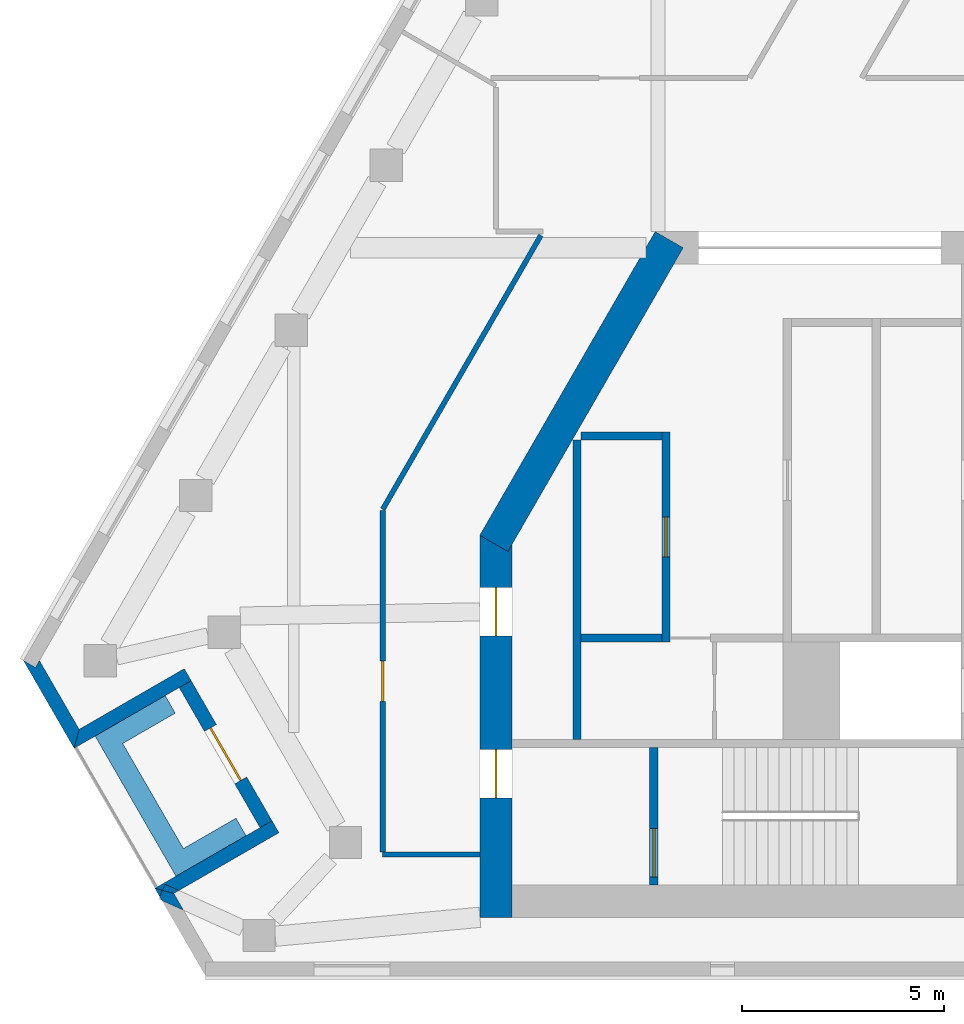
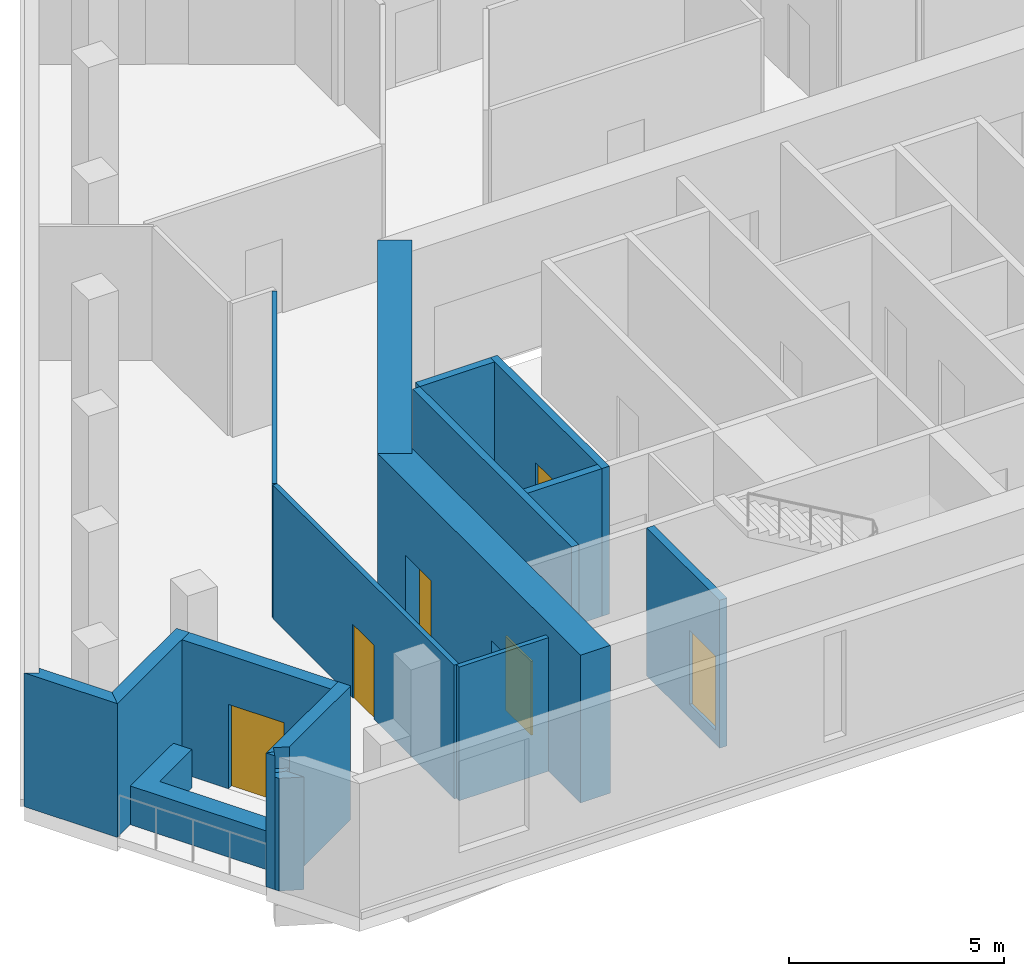
# One storey, part 2 of 8: 18 walls, 6 doors, 6 openings.
"""IFC4 building model written with IfcOpenShell, lengths in metres."""

from ifc_helpers import new_model, si_unit, direction, frame, frame_2d, origin, place, context, subcontext, project, spatial, polyline, rectangle, outline, extrude, material, layer, layer_set, type_object, element, fill, save


model = new_model("IFC4")

# Units and contexts
model_context = context("Model", 3, precision=1e-05, world=origin(), true_north=direction((0.0, 1.0)))
body_context = subcontext(model_context, "Body", "Model", "MODEL_VIEW")
ifc_project = project(units=[si_unit("LENGTHUNIT", "METRE"), si_unit("AREAUNIT", "SQUARE_METRE"), si_unit("VOLUMEUNIT", "CUBIC_METRE"), si_unit("PLANEANGLEUNIT", "RADIAN"), si_unit("MASSUNIT", "GRAM", prefix="KILO")], contexts=[model_context])

# Site, building, storey
site_placement = place(None, origin())
site = spatial("IfcSite", under=ifc_project, at=site_placement, CompositionType="ELEMENT")
building_placement = place(site_placement, origin())
building = spatial("IfcBuilding", under=site, at=building_placement, Name="Fogline Exchange Tower", CompositionType="ELEMENT")
storey_placement = place(building_placement, frame((0.0, 0.0, 314.10009765625)))
storey = spatial("IfcBuildingStorey", under=building, at=storey_placement, Name="L71", CompositionType="ELEMENT", Elevation=314.10009765625)

# Wall
ifc_material_1 = material(Name="Concrete C40", Category="concrete")
ifc_layer_1 = layer(ifc_material_1, 0.199951171875)
ifc_layer_set_1 = layer_set([ifc_layer_1], Name="CW20")
wall_type_1 = type_object("IfcWallType", Name="CW20", PredefinedType="SOLIDWALL", material=ifc_layer_set_1)
wall_1_placement = place(storey_placement, frame((-11.0, 5.85009765625, 0.0), z_axis=(0.0, 0.0, 1.0), x_axis=(0.0, 1.0, 0.0)))
element("IfcWall", 1, at=wall_1_placement, inside=storey, type_object=wall_type_1, Name="Service room wall", PredefinedType="SOLIDWALL", context=body_context, shape_type="SweptSolid", body=[
    extrude(rectangle(XDim=7.39990234375, YDim=0.199951171875, at=frame_2d((3.699951171875, 0.0))), origin(), (0.0, 0.0, 1.0), 3.7998046875),
])

# Wall, opening, door
ifc_layer_2 = layer(ifc_material_1, 0.199951171875)
ifc_layer_set_2 = layer_set([ifc_layer_2], Name="CW20R")
wall_type_2 = type_object("IfcWallType", Name="CW20R", PredefinedType="SOLIDWALL", material=ifc_layer_set_2)
wall_2_placement = place(storey_placement, frame((-9.10009765625, 2.25, -0.400146484375), z_axis=(0.0, 0.0, 1.0), x_axis=(0.0, 1.0, 0.0)))
wall_2 = element("IfcWall", 2, at=wall_2_placement, inside=storey, type_object=wall_type_2, Name="Stair enclosure wall", PredefinedType="SOLIDWALL", context=body_context, shape_type="SweptSolid", body=[
    extrude(rectangle(XDim=3.39990234375, YDim=0.199951171875, at=frame_2d((1.699951171875, 0.0))), origin(), (0.0, 0.0, 1.0), 4.199951171875),
])
opening_1_placement = place(wall_2_placement, frame((0.199951171875, 0.0, 0.39990234375)))
opening_1 = element("IfcOpeningElement", 3, at=opening_1_placement, cuts=wall_2, Name="Opening T22-C010", PredefinedType="OPENING", context=body_context, shape_type="SweptSolid", body=[
    extrude(rectangle(XDim=1.199951171875, YDim=2.10009765625, at=frame_2d((0.60009765625, 1.050048828125))), frame((0.0, 0.10986328125, 0.0), z_axis=(0.0, -1.0, 0.0), x_axis=(1.0, 0.0, 0.0)), (0.0, 0.0, 1.0), 0.219970703125),
])
ifc_material_2 = material(Name="Steel and timber fire door", Category="steel")
door_type_1 = type_object("IfcDoorType", Name="D-ST1", OperationType="SINGLE_SWING_LEFT", PredefinedType="DOOR", material=ifc_material_2)
door_1_placement = place(opening_1_placement, frame((1.199951171875, 0.0, 0.0), z_axis=(0.0, 0.0, 1.0), x_axis=(-1.0, 0.0, 0.0)))
door_1 = element("IfcDoor", 4, at=door_1_placement, inside=storey, type_object=door_type_1, Name="Stair door ST1", OperationType="SINGLE_SWING_RIGHT", OverallHeight=2.10009765625, OverallWidth=1.199951171875, PredefinedType="DOOR", context=body_context, shape_type="SweptSolid", body=[
    extrude(rectangle(XDim=1.199951171875, YDim=2.10009765625, at=frame_2d((0.60009765625, 1.050048828125))), frame((0.0, 0.02490234375, 0.0), z_axis=(0.0, -1.0, 0.0), x_axis=(1.0, 0.0, 0.0)), (0.0, 0.0, 1.0), 0.050048828125),
])
fill(opening_1, door_1)

ifc_layer_3 = layer(ifc_material_1, 0.199951171875)
ifc_layer_set_3 = layer_set([ifc_layer_3], Name="CW20S")
wall_type_3 = type_object("IfcWallType", Name="CW20S", PredefinedType="SOLIDWALL", material=ifc_layer_set_3)
wall_3_placement = place(storey_placement, frame((-8.800048828125, 8.25, -0.400146484375), z_axis=(0.0, 0.0, 1.0), x_axis=(0.0, 1.0, 0.0)))
wall_3 = element("IfcWall", 5, at=wall_3_placement, inside=storey, type_object=wall_type_3, Name="Lift shaft wall", PredefinedType="SOLIDWALL", context=body_context, shape_type="SweptSolid", body=[
    extrude(rectangle(XDim=5.199951171875, YDim=0.199951171875, at=frame_2d((2.60009765625, 0.0))), origin(), (0.0, 0.0, 1.0), 4.199951171875),
])
opening_2_placement = place(wall_3_placement, frame((2.10009765625, 0.0, 0.39990234375)))
opening_2 = element("IfcOpeningElement", 6, at=opening_2_placement, cuts=wall_3, Name="Opening T22-C001", PredefinedType="OPENING", context=body_context, shape_type="SweptSolid", body=[
    extrude(rectangle(XDim=1.0, YDim=2.10009765625, at=frame_2d((0.5, 1.050048828125))), frame((0.0, 0.10986328125, 0.0), z_axis=(0.0, -1.0, 0.0), x_axis=(1.0, 0.0, 0.0)), (0.0, 0.0, 1.0), 0.219970703125),
])
door_type_2 = type_object("IfcDoorType", Name="D-RM1", OperationType="SINGLE_SWING_LEFT", PredefinedType="DOOR", material=ifc_material_2)
door_2_placement = place(opening_2_placement, origin())
door_2 = element("IfcDoor", 7, at=door_2_placement, inside=storey, type_object=door_type_2, Name="Door to Records Room", OperationType="SINGLE_SWING_RIGHT", OverallHeight=2.10009765625, OverallWidth=1.0, PredefinedType="DOOR", context=body_context, shape_type="SweptSolid", body=[
    extrude(rectangle(XDim=1.0, YDim=2.10009765625, at=frame_2d((0.5, 1.050048828125))), frame((0.0, 0.02490234375, 0.0), z_axis=(0.0, -1.0, 0.0), x_axis=(1.0, 0.0, 0.0)), (0.0, 0.0, 1.0), 0.050048828125),
])
fill(opening_2, door_2)

# Walls
for number, where, z_axis, x_axis, name in (
    (8, (-10.89990234375, 8.35009765625, -0.400146484375), (0.0, 0.0, 1.0), (1.0, 0.0, 0.0), "Lift shaft wall"),
    (9, (-10.89990234375, 13.35009765625, -0.400146484375), (0.0, 0.0, 1.0), (1.0, 0.0, 0.0), "Lift shaft wall"),
):
    element("IfcWall", number, at=place(storey_placement, frame(where, z_axis=z_axis, x_axis=x_axis)), inside=storey, type_object=wall_type_3, Name=name, PredefinedType="SOLIDWALL", context=body_context, shape_type="SweptSolid", body=[
        extrude(rectangle(XDim=2.0, YDim=0.199951171875, at=frame_2d((1.0, 0.0))), origin(), (0.0, 0.0, 1.0), 4.199951171875),
    ])
ifc_material_3 = material(Name="Brick masonry", Category="masonry")
ifc_layer_4 = layer(ifc_material_3, 0.340087890625)
ifc_layer_set_4 = layer_set([ifc_layer_4], Name="FW1")
wall_type_4 = type_object("IfcWallType", Name="FW1", PredefinedType="SOLIDWALL", material=ifc_layer_set_4)
wall_4_placement = place(storey_placement, origin())
element("IfcWall", 10, at=wall_4_placement, inside=storey, type_object=wall_type_4, Name="Brick wall L71 SW-c1", PredefinedType="SOLIDWALL", context=body_context, shape_type="SweptSolid", body=[
    extrude(outline(polyline([(-23.4296875, 5.6279296875), (-24.680908203125, 7.794921875), (-24.680419921875, 7.79541015625), (-24.385498046875, 7.625), (-24.287109375, 7.79541015625), (-23.3046875, 6.09375), (-23.429443359375, 5.6279296875), (-23.4296875, 5.6279296875)])), origin(), (0.0, 0.0, 1.0), 3.7998046875),
])
wall_5_placement = place(storey_placement, origin())
element("IfcWall", 11, at=wall_5_placement, inside=storey, type_object=wall_type_4, Name="Brick wall L71 SW-s1", PredefinedType="SOLIDWALL", context=body_context, shape_type="SweptSolid", body=[
    extrude(outline(polyline([(-20.70703125, 7.594482421875), (-20.536376953125, 7.298828125), (-20.831298828125, 7.128662109375), (-23.430419921875, 5.628173828125), (-23.4306640625, 5.62841796875), (-23.305908203125, 6.093994140625), (-20.70703125, 7.594482421875)])), origin(), (0.0, 0.0, 1.0), 3.7998046875),
])

# Wall, opening, door
wall_6_placement = place(storey_placement, frame((-20.6845703125, 7.214111328125, 0.0), z_axis=(0.0, 0.0, 1.0), x_axis=(0.49999894854, -0.866026010844, 0.0)))
wall_6 = element("IfcWall", 12, at=wall_6_placement, inside=storey, type_object=wall_type_4, Name="Brick wall L71 SW-bk", PredefinedType="SOLIDWALL", context=body_context, shape_type="SweptSolid", body=[
    extrude(rectangle(XDim=4.0, YDim=0.340087890625, at=frame_2d((2.0, 0.0))), origin(), (0.0, 0.0, 1.0), 3.7998046875),
])
opening_3_placement = place(wall_6_placement, frame((1.25, 0.0, 0.0)))
opening_3 = element("IfcOpeningElement", 13, at=opening_3_placement, cuts=wall_6, Name="Opening T22-E021", PredefinedType="OPENING", context=body_context, shape_type="SweptSolid", body=[
    extrude(rectangle(XDim=1.5, YDim=2.39990234375, at=frame_2d((0.75, 1.199951171875))), frame((0.0, 0.18017578125, 0.0), z_axis=(0.0, -1.0, 0.0), x_axis=(1.0, 0.0, 0.0)), (0.0, 0.0, 1.0), 0.360107421875),
])
ifc_material_4 = material(Name="Aluminium and glass", Category="aluminium")
door_type_3 = type_object("IfcDoorType", Name="ED4", OperationType="SINGLE_SWING_LEFT", PredefinedType="DOOR", material=ifc_material_4)
door_3_placement = place(opening_3_placement, frame((1.5, 0.0, 0.0), z_axis=(0.0, 0.0, 1.0), x_axis=(-1.0, 0.0, 0.0)))
door_3 = element("IfcDoor", 14, at=door_3_placement, inside=storey, type_object=door_type_3, Name="Balcony door L71 SW", OperationType="DOUBLE_DOOR_SINGLE_SWING", OverallHeight=2.39990234375, OverallWidth=1.5, PredefinedType="DOOR", context=body_context, shape_type="SweptSolid", body=[
    extrude(rectangle(XDim=1.5, YDim=2.39990234375, at=frame_2d((0.75, 1.199951171875))), frame((0.0, 0.02490234375, 0.0), z_axis=(0.0, -1.0, 0.0), x_axis=(1.0, 0.0, 0.0)), (0.0, 0.0, 1.0), 0.050048828125),
])
fill(opening_3, door_3)

# Walls
wall_7_placement = place(storey_placement, origin())
element("IfcWall", 15, at=wall_7_placement, inside=storey, type_object=wall_type_4, Name="Brick wall L71 SW-s2", PredefinedType="SOLIDWALL", context=body_context, shape_type="SweptSolid", body=[
    extrude(outline(polyline([(-20.96533203125, 2.0400390625), (-21.2470703125, 2.115478515625), (-21.1787109375, 2.267333984375), (-20.837890625, 2.113525390625), (-20.96533203125, 2.0400390625)])), origin(), (0.0, 0.0, 1.0), 3.199951171875),
])
wall_8_placement = place(storey_placement, origin())
element("IfcWall", 16, at=wall_8_placement, inside=storey, type_object=wall_type_4, Name="Brick wall L71 SW-s2", PredefinedType="SOLIDWALL", context=body_context, shape_type="SweptSolid", body=[
    extrude(outline(polyline([(-18.83203125, 3.66552734375), (-18.537109375, 3.8359375), (-18.366455078125, 3.540283203125), (-20.837890625, 2.113525390625), (-21.1787109375, 2.267333984375), (-21.2470703125, 2.115478515625), (-21.430908203125, 2.164794921875), (-21.430908203125, 2.1650390625), (-18.83203125, 3.66552734375)])), origin(), (0.0, 0.0, 1.0), 3.7998046875),
])
wall_9_placement = place(storey_placement, origin())
element("IfcWall", 17, at=wall_9_placement, inside=storey, type_object=wall_type_4, Name="Brick wall L71 SW-c2", PredefinedType="SOLIDWALL", context=body_context, shape_type="SweptSolid", body=[
    extrude(outline(polyline([(-21.31494140625, 1.965087890625), (-21.24658203125, 2.11669921875), (-20.96484375, 2.041015625), (-20.723388671875, 1.623046875), (-21.25634765625, 1.863525390625), (-21.31494140625, 1.965087890625)])), origin(), (0.0, 0.0, 1.0), 3.199951171875),
])
wall_10_placement = place(storey_placement, origin())
element("IfcWall", 18, at=wall_10_placement, inside=storey, type_object=wall_type_4, Name="Brick wall L71 SW-c2", PredefinedType="SOLIDWALL", context=body_context, shape_type="SweptSolid", body=[
    extrude(outline(polyline([(-21.430908203125, 2.165771484375), (-21.4306640625, 2.166015625), (-21.24658203125, 2.11669921875), (-21.31494140625, 1.965087890625), (-21.430908203125, 2.165771484375)])), origin(), (0.0, 0.0, 1.0), 3.7998046875),
])
ifc_material_5 = material(Name="Concrete C30", Category="concrete")
ifc_layer_5 = layer(ifc_material_5, 0.199951171875)
ifc_layer_set_5 = layer_set([ifc_layer_5], Name="PL1")
wall_type_5 = type_object("IfcWallType", Name="PL1", PredefinedType="USERDEFINED", material=ifc_layer_set_5)
wall_11_placement = place(storey_placement, origin())
element("IfcWall", 19, at=wall_11_placement, inside=storey, type_object=wall_type_5, Name="PLANTER balcony L71 SW", ObjectType="PLANTER", PredefinedType="USERDEFINED", context=body_context, shape_type="SweptSolid", body=[
    extrude(outline(polyline([(-19.427978515625, 3.898193359375), (-20.727294921875, 3.148193359375), (-22.227294921875, 5.74609375), (-20.927978515625, 6.49609375), (-21.177978515625, 6.92919921875), (-22.91015625, 5.92919921875), (-22.66015625, 5.49609375), (-20.91015625, 2.465087890625), (-20.477294921875, 2.715087890625), (-20.477294921875, 2.715087890625), (-19.177978515625, 3.465087890625), (-19.427978515625, 3.898193359375)])), origin(), (0.0, 0.0, 1.0), 1.099853515625),
])
ifc_material_6 = material(Name="Plasterboard corridor partition with mineral wool, 2 layers each side")
ifc_layer_6 = layer(ifc_material_6, 0.125)
ifc_layer_set_6 = layer_set([ifc_layer_6], Name="PW2")
wall_type_6 = type_object("IfcWallType", Name="PW2", PredefinedType="PARTITIONING", material=ifc_layer_set_6)
wall_12_placement = place(storey_placement, frame((-13.39990234375, 3.0, 0.0), z_axis=(0.0, 0.0, 1.0), x_axis=(-1.0, 0.0, 0.0)))
element("IfcWall", 20, at=wall_12_placement, inside=storey, type_object=wall_type_6, Name="wall-L71-W015", PredefinedType="PARTITIONING", context=body_context, shape_type="SweptSolid", body=[
    extrude(rectangle(XDim=2.400146484375, YDim=0.125, at=frame_2d((1.2001953125, 0.0))), origin(), (0.0, 0.0, 1.0), 3.7998046875),
])

# Wall, opening, door
wall_13_placement = place(storey_placement, frame((-15.800048828125, 3.0625, 0.0), z_axis=(0.0, 0.0, 1.0), x_axis=(0.0, 1.0, 0.0)))
wall_13 = element("IfcWall", 21, at=wall_13_placement, inside=storey, type_object=wall_type_6, Name="wall-L71-W016", PredefinedType="PARTITIONING", context=body_context, shape_type="SweptSolid", body=[
    extrude(rectangle(XDim=8.44140625, YDim=0.125, at=frame_2d((4.220703125, 0.0))), origin(), (0.0, 0.0, 1.0), 3.7998046875),
])
opening_4_placement = place(wall_13_placement, frame((3.720703125, 0.0, 0.0)))
opening_4 = element("IfcOpeningElement", 22, at=opening_4_placement, cuts=wall_13, Name="Opening T22-D006", PredefinedType="OPENING", context=body_context, shape_type="SweptSolid", body=[
    extrude(rectangle(XDim=1.0, YDim=2.10009765625, at=frame_2d((0.5, 1.050048828125))), frame((0.0, 0.072509765625, 0.0), z_axis=(0.0, -1.0, 0.0), x_axis=(1.0, 0.0, 0.0)), (0.0, 0.0, 1.0), 0.14501953125),
])
ifc_material_7 = material(Name="Fire-rated timber door leaf with steel frame", Category="steel")
door_type_4 = type_object("IfcDoorType", Name="D3", OperationType="SINGLE_SWING_LEFT", PredefinedType="DOOR", material=ifc_material_7)
door_4_placement = place(opening_4_placement, origin())
door_4 = element("IfcDoor", 23, at=door_4_placement, inside=storey, type_object=door_type_4, Name="door-L71-D006", OperationType="SINGLE_SWING_LEFT", OverallHeight=2.10009765625, OverallWidth=1.0, PredefinedType="DOOR", context=body_context, shape_type="SweptSolid", body=[
    extrude(rectangle(XDim=1.0, YDim=2.10009765625, at=frame_2d((0.5, 1.050048828125))), frame((0.0, 0.02490234375, 0.0), z_axis=(0.0, -1.0, 0.0), x_axis=(1.0, 0.0, 0.0)), (0.0, 0.0, 1.0), 0.050048828125),
])
fill(opening_4, door_4)

# Walls
wall_14_placement = place(storey_placement, frame((-15.800048828125, 11.534912109375, 0.0), z_axis=(0.0, 0.0, 1.0), x_axis=(0.49999455806, 0.866028545667, 0.0)))
element("IfcWall", 24, at=wall_14_placement, inside=storey, type_object=wall_type_6, Name="wall-L71-W017", PredefinedType="PARTITIONING", context=body_context, shape_type="SweptSolid", body=[
    extrude(rectangle(XDim=7.818359375, YDim=0.125, at=frame_2d((3.9091796875, 0.0))), origin(), (0.0, 0.0, 1.0), 3.7998046875),
])
ifc_material_8 = material(Name="Concrete C50", Category="concrete")
ifc_layer_7 = layer(ifc_material_8, 0.800048828125)
ifc_layer_set_7 = layer_set([ifc_layer_7], Name="SW04")
wall_type_7 = type_object("IfcWallType", Name="SW04", PredefinedType="SHEAR", material=ifc_layer_set_7)
wall_15_placement = place(storey_placement, frame((-8.71875, 18.199951171875, 0.0), z_axis=(0.0, 0.0, 1.0), x_axis=(-0.500015780397, -0.866016292776, 0.0)))
element("IfcWall", 25, at=wall_15_placement, inside=storey, type_object=wall_type_7, Name="L71-W905", PredefinedType="SHEAR", context=body_context, shape_type="SweptSolid", body=[
    extrude(rectangle(XDim=8.669677734375, YDim=0.800048828125, at=frame_2d((4.3349609375, 0.0))), origin(), (0.0, 0.0, 1.0), 4.199951171875),
])

# Wall, openings, doors
wall_16_placement = place(storey_placement, frame((-13.0, 10.891845703125, 0.0), z_axis=(0.0, 0.0, 1.0), x_axis=(0.0, -1.0, 0.0)))
wall_16 = element("IfcWall", 26, at=wall_16_placement, inside=storey, type_object=wall_type_7, Name="L71-W906", PredefinedType="SHEAR", context=body_context, shape_type="SweptSolid", body=[
    extrude(rectangle(XDim=9.44189453125, YDim=0.800048828125, at=frame_2d((4.720947265625, 0.0))), origin(), (0.0, 0.0, 1.0), 4.199951171875),
])
opening_5_placement = place(wall_16_placement, frame((5.291748046875, 0.0, 0.0)))
opening_5 = element("IfcOpeningElement", 27, at=opening_5_placement, cuts=wall_16, Name="Opening T22-C009", PredefinedType="OPENING", context=body_context, shape_type="SweptSolid", body=[
    extrude(rectangle(XDim=1.199951171875, YDim=2.10009765625, at=frame_2d((0.60009765625, 1.050048828125))), frame((0.0, 0.41015625, 0.0), z_axis=(0.0, -1.0, 0.0), x_axis=(1.0, 0.0, 0.0)), (0.0, 0.0, 1.0), 0.820068359375),
])
opening_6_placement = place(wall_16_placement, frame((1.291748046875, 0.0, 0.0)))
opening_6 = element("IfcOpeningElement", 28, at=opening_6_placement, cuts=wall_16, Name="Opening T22-C011", PredefinedType="OPENING", context=body_context, shape_type="SweptSolid", body=[
    extrude(rectangle(XDim=1.199951171875, YDim=2.10009765625, at=frame_2d((0.60009765625, 1.050048828125))), frame((0.0, 0.41015625, 0.0), z_axis=(0.0, -1.0, 0.0), x_axis=(1.0, 0.0, 0.0)), (0.0, 0.0, 1.0), 0.820068359375),
])
door_type_5 = type_object("IfcDoorType", Name="D-FR1", OperationType="SINGLE_SWING_RIGHT", PredefinedType="DOOR", material=ifc_material_2)
door_5_placement = place(opening_5_placement, origin())
door_5 = element("IfcDoor", 29, at=door_5_placement, inside=storey, type_object=door_type_5, Name="Front room door ST1", OperationType="SINGLE_SWING_LEFT", OverallHeight=2.10009765625, OverallWidth=1.199951171875, PredefinedType="DOOR", context=body_context, shape_type="SweptSolid", body=[
    extrude(rectangle(XDim=1.199951171875, YDim=2.10009765625, at=frame_2d((0.60009765625, 1.050048828125))), frame((0.0, 0.02490234375, 0.0), z_axis=(0.0, -1.0, 0.0), x_axis=(1.0, 0.0, 0.0)), (0.0, 0.0, 1.0), 0.050048828125),
])
fill(opening_5, door_5)
door_type_6 = type_object("IfcDoorType", Name="D-SV1", OperationType="SINGLE_SWING_LEFT", PredefinedType="DOOR", material=ifc_material_2)
door_6_placement = place(opening_6_placement, origin())
door_6 = element("IfcDoor", 30, at=door_6_placement, inside=storey, type_object=door_type_6, Name="Service door W", OperationType="SINGLE_SWING_LEFT", OverallHeight=2.10009765625, OverallWidth=1.199951171875, PredefinedType="DOOR", context=body_context, shape_type="SweptSolid", body=[
    extrude(rectangle(XDim=1.199951171875, YDim=2.10009765625, at=frame_2d((0.60009765625, 1.050048828125))), frame((0.0, 0.02490234375, 0.0), z_axis=(0.0, -1.0, 0.0), x_axis=(1.0, 0.0, 0.0)), (0.0, 0.0, 1.0), 0.050048828125),
])
fill(opening_6, door_6)

save(model, "model.ifc")
